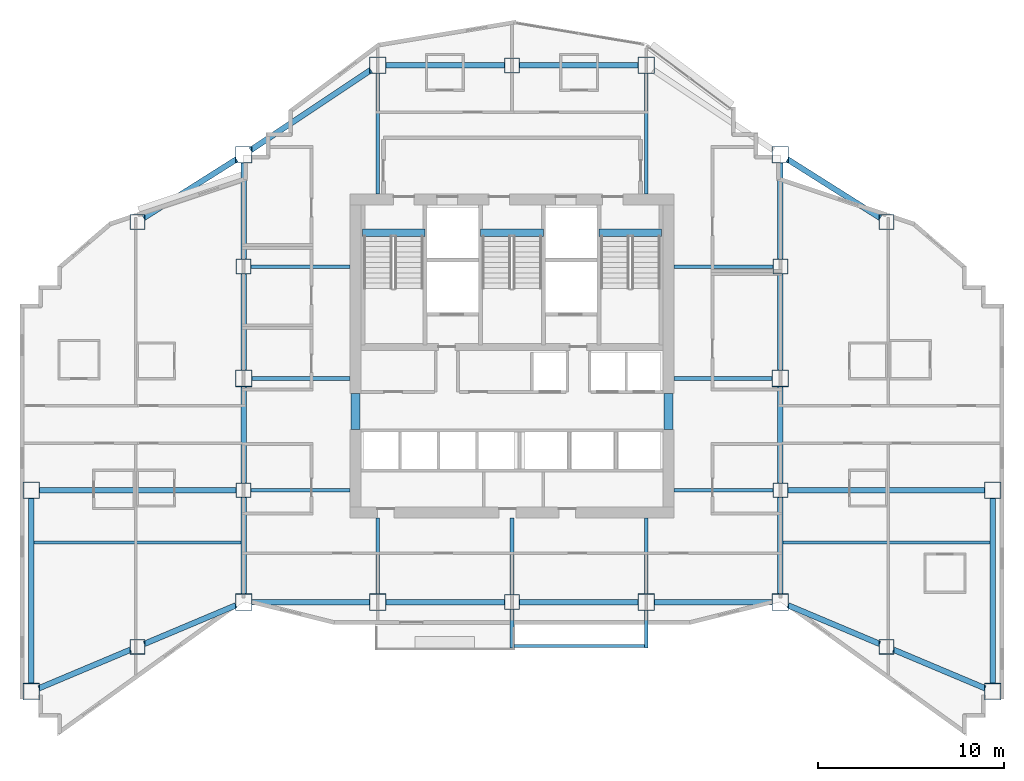
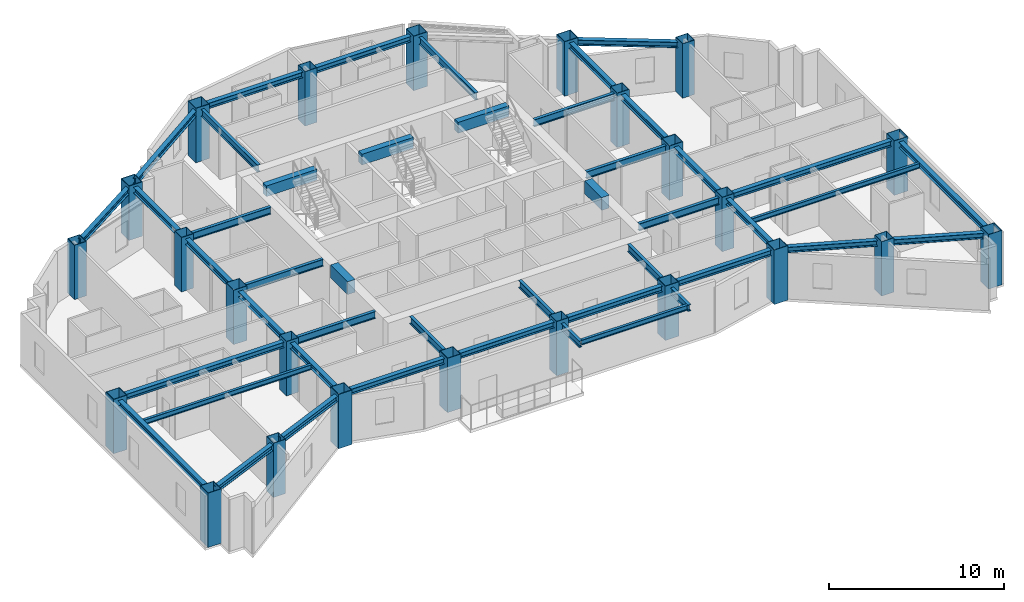
# One storey, part 1 of 11: 46 beams, 24 columns.
"""IFC4 building model written with IfcOpenShell, lengths in metres."""

from ifc_helpers import new_model, si_unit, direction, frame, origin, origin_2d, place, context, subcontext, project, spatial, rectangle, hollow_rectangle, i_section, extrude, material, material_profile, profile_set, type_object, element, save


model = new_model("IFC4")

# Units and contexts
model_context = context("Model", 3, precision=1e-05, world=origin(), true_north=direction((0.0, 1.0)))
body_context = subcontext(model_context, "Body", "Model", "MODEL_VIEW")
ifc_project = project(units=[si_unit("LENGTHUNIT", "METRE"), si_unit("AREAUNIT", "SQUARE_METRE"), si_unit("VOLUMEUNIT", "CUBIC_METRE"), si_unit("PLANEANGLEUNIT", "RADIAN"), si_unit("MASSUNIT", "GRAM", prefix="KILO")], contexts=[model_context])

# Site, building, storey
site_placement = place(None, origin())
site = spatial("IfcSite", under=ifc_project, at=site_placement, CompositionType="ELEMENT")
building_placement = place(site_placement, origin())
building = spatial("IfcBuilding", under=site, at=building_placement, Name="Haolan Belvedere Tower", CompositionType="ELEMENT")
storey_placement = place(building_placement, frame((0.0, 0.0, 172.800048828125)))
storey = spatial("IfcBuildingStorey", under=building, at=storey_placement, Name="L43", CompositionType="ELEMENT", Elevation=172.800048828125)

# Columns
ifc_material_1 = material(Name="Steel Q390GJC", Category="steel")
ifc_material_profile_1 = material_profile(ifc_material_1, hollow_rectangle(XDim=0.800048828125, YDim=0.800048828125, WallThickness=0.030029296875, at=origin_2d()), Name="Steel Q390GJC")
ifc_profile_set_1 = profile_set([ifc_material_profile_1], Name="Steel Q390GJC")
column_type_1 = type_object("IfcColumnType", Name="COL-BOX800x800x30", PredefinedType="COLUMN", material=ifc_profile_set_1)
for number, where, z_axis, x_axis, name in (
    (1, (24.0, 27.60009765625, 0.0), (0.0, 0.0, 1.0), (1.0, 0.0, 0.0), "L43 column TC-T3-W1 (BOX800x800x30)"),
    (2, (24.0, 39.60009765625, 0.0), (0.0, 0.0, 1.0), (1.0, 0.0, 0.0), "L43 column TC-T3-W2 (BOX800x800x30)"),
    (3, (52.800048828125, 27.60009765625, 0.0), (0.0, 0.0, 1.0), (1.0, 0.0, 0.0), "L43 column TC-T3-E1 (BOX800x800x30)"),
    (4, (52.800048828125, 39.60009765625, 0.0), (0.0, 0.0, 1.0), (1.0, 0.0, 0.0), "L43 column TC-T3-E2 (BOX800x800x30)"),
    (5, (38.39990234375, 21.60009765625, 0.0), (0.0, 0.0, 1.0), (1.0, 0.0, 0.0), "L43 column TC-T3-SM (BOX800x800x30)"),
    (6, (38.39990234375, 50.39990234375, 0.0), (0.0, 0.0, 1.0), (1.0, 0.0, 0.0), "L43 column TC-T3-NM (BOX800x800x30)"),
    (7, (18.300048828125, 19.199951171875, 0.0), (0.0, 0.0, 1.0), (1.0, 0.0, 0.0), "L43 column TC-T2-S1 (BOX800x800x30)"),
    (8, (18.300048828125, 42.0, 0.0), (0.0, 0.0, 1.0), (1.0, 0.0, 0.0), "L43 column TC-T2-N1 (BOX800x800x30)"),
    (9, (58.5, 19.199951171875, 0.0), (0.0, 0.0, 1.0), (1.0, 0.0, 0.0), "L43 column TC-T4-S1 (BOX800x800x30)"),
    (10, (58.5, 42.0, 0.0), (0.0, 0.0, 1.0), (1.0, 0.0, 0.0), "L43 column TC-T4-N1 (BOX800x800x30)"),
):
    element("IfcColumn", number, at=place(storey_placement, frame(where, z_axis=z_axis, x_axis=x_axis)), inside=storey, type_object=column_type_1, Name=name, PredefinedType="COLUMN", context=body_context, shape_type="SweptSolid", body=[
        extrude(hollow_rectangle(XDim=0.800048828125, YDim=0.800048828125, WallThickness=0.030029296875, at=origin_2d()), origin(), (0.0, 0.0, 1.0), 3.800048828125),
    ])
ifc_material_profile_2 = material_profile(ifc_material_1, hollow_rectangle(XDim=0.89990234375, YDim=0.89990234375, WallThickness=0.033935546875, at=origin_2d()), Name="Steel Q390GJC")
ifc_profile_set_2 = profile_set([ifc_material_profile_2], Name="Steel Q390GJC")
column_type_2 = type_object("IfcColumnType", Name="COL-BOX900x900x34", PredefinedType="COLUMN", material=ifc_profile_set_2)
for number, where, z_axis, x_axis, name in (
    (11, (24.0, 21.60009765625, 0.0), (0.0, 0.0, 1.0), (1.0, 0.0, 0.0), "L43 column MC-T3-SW (BOX900x900x34)"),
    (12, (24.0, 33.60009765625, 0.0), (0.0, 0.0, 1.0), (1.0, 0.0, 0.0), "L43 column MC-T3-MW (BOX900x900x34)"),
    (13, (24.0, 45.60009765625, 0.0), (0.0, 0.0, 1.0), (1.0, 0.0, 0.0), "L43 column MC-T3-NW (BOX900x900x34)"),
    (14, (52.800048828125, 21.60009765625, 0.0), (0.0, 0.0, 1.0), (1.0, 0.0, 0.0), "L43 column MC-T3-SE (BOX900x900x34)"),
    (15, (52.800048828125, 33.60009765625, 0.0), (0.0, 0.0, 1.0), (1.0, 0.0, 0.0), "L43 column MC-T3-ME (BOX900x900x34)"),
    (16, (52.800048828125, 45.60009765625, 0.0), (0.0, 0.0, 1.0), (1.0, 0.0, 0.0), "L43 column MC-T3-NE (BOX900x900x34)"),
    (17, (31.199951171875, 21.60009765625, 0.0), (0.0, 0.0, 1.0), (1.0, 0.0, 0.0), "L43 column MC-T3-S1 (BOX900x900x34)"),
    (18, (45.60009765625, 21.60009765625, 0.0), (0.0, 0.0, 1.0), (1.0, 0.0, 0.0), "L43 column MC-T3-S2 (BOX900x900x34)"),
    (19, (31.199951171875, 50.39990234375, 0.0), (0.0, 0.0, 1.0), (1.0, 0.0, 0.0), "L43 column MC-T3-N1 (BOX900x900x34)"),
    (20, (45.60009765625, 50.39990234375, 0.0), (0.0, 0.0, 1.0), (1.0, 0.0, 0.0), "L43 column MC-T3-N2 (BOX900x900x34)"),
    (21, (12.60009765625, 16.800048828125, 0.0), (0.0, 0.0, 1.0), (1.0, 0.0, 0.0), "L43 column MC-T2-SW (BOX900x900x34)"),
    (22, (12.60009765625, 27.60009765625, 0.0), (0.0, 0.0, 1.0), (1.0, 0.0, 0.0), "L43 column MC-T2-MW (BOX900x900x34)"),
    (23, (64.199951171875, 16.800048828125, 0.0), (0.0, 0.0, 1.0), (1.0, 0.0, 0.0), "L43 column MC-T4-SE (BOX900x900x34)"),
    (24, (64.199951171875, 27.60009765625, 0.0), (0.0, 0.0, 1.0), (1.0, 0.0, 0.0), "L43 column MC-T4-ME (BOX900x900x34)"),
):
    element("IfcColumn", number, at=place(storey_placement, frame(where, z_axis=z_axis, x_axis=x_axis)), inside=storey, type_object=column_type_2, Name=name, PredefinedType="COLUMN", context=body_context, shape_type="SweptSolid", body=[
        extrude(hollow_rectangle(XDim=0.89990234375, YDim=0.89990234375, WallThickness=0.033935546875, at=origin_2d()), origin(), (0.0, 0.0, 1.0), 3.800048828125),
    ])

# Beams
ifc_material_2 = material(Name="Steel Q355B", Category="steel")
ifc_material_profile_3 = material_profile(ifc_material_2, i_section(OverallWidth=0.300048828125, OverallDepth=0.389892578125, WebThickness=0.010009765625, FlangeThickness=0.01611328125, FilletRadius=0.02197265625, at=origin_2d()), Name="Steel Q355B")
ifc_profile_set_3 = profile_set([ifc_material_profile_3], Name="Steel Q355B")
beam_type_1 = type_object("IfcBeamType", Name="BM-HM390x300x10x16", PredefinedType="SPANDREL", material=ifc_profile_set_3)
for number, where, z_axis, x_axis, name in (
    (25, (24.0, 22.050048828125, 3.425048828125), (0.0, 1.0, 0.0), (-1.0, 0.0, 0.0), "L43 spandrel girder MC-T3-SW-TC-T3-W1"),
    (26, (24.0, 28.0, 3.425048828125), (0.0, 1.0, 0.0), (-1.0, 0.0, 0.0), "L43 spandrel girder TC-T3-W1-MC-T3-MW"),
    (27, (24.0, 34.050048828125, 3.425048828125), (0.0, 1.0, 0.0), (-1.0, 0.0, 0.0), "L43 spandrel girder MC-T3-MW-TC-T3-W2"),
    (28, (24.0, 40.0, 3.425048828125), (0.0, 1.0, 0.0), (-1.0, 0.0, 0.0), "L43 spandrel girder TC-T3-W2-MC-T3-NW"),
    (29, (52.800048828125, 22.050048828125, 3.425048828125), (0.0, 1.0, 0.0), (-1.0, 0.0, 0.0), "L43 spandrel girder MC-T3-SE-TC-T3-E1"),
    (30, (52.800048828125, 28.0, 3.425048828125), (0.0, 1.0, 0.0), (-1.0, 0.0, 0.0), "L43 spandrel girder TC-T3-E1-MC-T3-ME"),
    (31, (52.800048828125, 34.050048828125, 3.425048828125), (0.0, 1.0, 0.0), (-1.0, 0.0, 0.0), "L43 spandrel girder MC-T3-ME-TC-T3-E2"),
    (32, (52.800048828125, 40.0, 3.425048828125), (0.0, 1.0, 0.0), (-1.0, 0.0, 0.0), "L43 spandrel girder TC-T3-E2-MC-T3-NE"),
):
    element("IfcBeam", number, at=place(storey_placement, frame(where, z_axis=z_axis, x_axis=x_axis)), inside=storey, type_object=beam_type_1, Name=name, PredefinedType="SPANDREL", context=body_context, shape_type="SweptSolid", body=[
        extrude(i_section(OverallWidth=0.300048828125, OverallDepth=0.389892578125, WebThickness=0.010009765625, FlangeThickness=0.01611328125, FilletRadius=0.02197265625, at=origin_2d()), origin(), (0.0, 0.0, 1.0), 5.14990234375),
    ])
beam_1_placement = place(storey_placement, frame((24.449951171875, 21.60009765625, 3.425048828125), z_axis=(1.0, 0.0, 0.0), x_axis=(0.0, 1.0, 0.0)))
element("IfcBeam", 33, at=beam_1_placement, inside=storey, type_object=beam_type_1, Name="L43 spandrel girder MC-T3-SW-MC-T3-S1", PredefinedType="SPANDREL", context=body_context, shape_type="SweptSolid", body=[
    extrude(i_section(OverallWidth=0.300048828125, OverallDepth=0.389892578125, WebThickness=0.010009765625, FlangeThickness=0.01611328125, FilletRadius=0.02197265625, at=origin_2d()), origin(), (0.0, 0.0, 1.0), 6.300048828125),
])
beam_2_placement = place(storey_placement, frame((31.64990234375, 21.60009765625, 3.425048828125), z_axis=(1.0, 0.0, 0.0), x_axis=(0.0, 1.0, 0.0)))
element("IfcBeam", 34, at=beam_2_placement, inside=storey, type_object=beam_type_1, Name="L43 spandrel girder MC-T3-S1-TC-T3-SM", PredefinedType="SPANDREL", context=body_context, shape_type="SweptSolid", body=[
    extrude(i_section(OverallWidth=0.300048828125, OverallDepth=0.389892578125, WebThickness=0.010009765625, FlangeThickness=0.01611328125, FilletRadius=0.02197265625, at=origin_2d()), origin(), (0.0, 0.0, 1.0), 6.35009765625),
])
beam_3_placement = place(storey_placement, frame((38.800048828125, 21.60009765625, 3.425048828125), z_axis=(1.0, 0.0, 0.0), x_axis=(0.0, 1.0, 0.0)))
element("IfcBeam", 35, at=beam_3_placement, inside=storey, type_object=beam_type_1, Name="L43 spandrel girder TC-T3-SM-MC-T3-S2", PredefinedType="SPANDREL", context=body_context, shape_type="SweptSolid", body=[
    extrude(i_section(OverallWidth=0.300048828125, OverallDepth=0.389892578125, WebThickness=0.010009765625, FlangeThickness=0.01611328125, FilletRadius=0.02197265625, at=origin_2d()), origin(), (0.0, 0.0, 1.0), 6.349853515625),
])
beam_4_placement = place(storey_placement, frame((46.050048828125, 21.60009765625, 3.425048828125), z_axis=(1.0, 0.0, 0.0), x_axis=(0.0, 1.0, 0.0)))
element("IfcBeam", 36, at=beam_4_placement, inside=storey, type_object=beam_type_1, Name="L43 spandrel girder MC-T3-S2-MC-T3-SE", PredefinedType="SPANDREL", context=body_context, shape_type="SweptSolid", body=[
    extrude(i_section(OverallWidth=0.300048828125, OverallDepth=0.389892578125, WebThickness=0.010009765625, FlangeThickness=0.01611328125, FilletRadius=0.02197265625, at=origin_2d()), origin(), (0.0, 0.0, 1.0), 6.300048828125),
])
beam_5_placement = place(storey_placement, frame((24.37451171875, 45.849609375, 3.425048828125), z_axis=(0.832050294338, 0.554700196225, 0.0), x_axis=(-0.554700196225, 0.832050294338, 0.0)))
element("IfcBeam", 37, at=beam_5_placement, inside=storey, type_object=beam_type_1, Name="L43 spandrel girder MC-T3-NW-MC-T3-N1", PredefinedType="SPANDREL", context=body_context, shape_type="SweptSolid", body=[
    extrude(i_section(OverallWidth=0.300048828125, OverallDepth=0.389892578125, WebThickness=0.010009765625, FlangeThickness=0.01611328125, FilletRadius=0.02197265625, at=origin_2d()), origin(), (0.0, 0.0, 1.0), 7.75341796875),
])
beam_6_placement = place(storey_placement, frame((31.64990234375, 50.39990234375, 3.425048828125), z_axis=(1.0, 0.0, 0.0), x_axis=(0.0, 1.0, 0.0)))
element("IfcBeam", 38, at=beam_6_placement, inside=storey, type_object=beam_type_1, Name="L43 spandrel girder MC-T3-N1-TC-T3-NM", PredefinedType="SPANDREL", context=body_context, shape_type="SweptSolid", body=[
    extrude(i_section(OverallWidth=0.300048828125, OverallDepth=0.389892578125, WebThickness=0.010009765625, FlangeThickness=0.01611328125, FilletRadius=0.02197265625, at=origin_2d()), origin(), (0.0, 0.0, 1.0), 6.35009765625),
])
beam_7_placement = place(storey_placement, frame((38.800048828125, 50.39990234375, 3.425048828125), z_axis=(1.0, 0.0, 0.0), x_axis=(0.0, 1.0, 0.0)))
element("IfcBeam", 39, at=beam_7_placement, inside=storey, type_object=beam_type_1, Name="L43 spandrel girder TC-T3-NM-MC-T3-N2", PredefinedType="SPANDREL", context=body_context, shape_type="SweptSolid", body=[
    extrude(i_section(OverallWidth=0.300048828125, OverallDepth=0.389892578125, WebThickness=0.010009765625, FlangeThickness=0.01611328125, FilletRadius=0.02197265625, at=origin_2d()), origin(), (0.0, 0.0, 1.0), 6.349853515625),
])
beam_8_placement = place(storey_placement, frame((12.60009765625, 17.25, 3.425048828125), z_axis=(0.0, 1.0, 0.0), x_axis=(-1.0, 0.0, 0.0)))
element("IfcBeam", 40, at=beam_8_placement, inside=storey, type_object=beam_type_1, Name="L43 spandrel girder MC-T2-SW-MC-T2-MW", PredefinedType="SPANDREL", context=body_context, shape_type="SweptSolid", body=[
    extrude(i_section(OverallWidth=0.300048828125, OverallDepth=0.389892578125, WebThickness=0.010009765625, FlangeThickness=0.01611328125, FilletRadius=0.02197265625, at=origin_2d()), origin(), (0.0, 0.0, 1.0), 9.89990234375),
])
beam_9_placement = place(storey_placement, frame((13.0146484375, 16.974609375, 3.425048828125), z_axis=(0.921644850741, 0.388034494733, 0.0), x_axis=(-0.388034494733, 0.921644850741, 0.0)))
element("IfcBeam", 41, at=beam_9_placement, inside=storey, type_object=beam_type_1, Name="L43 spandrel girder MC-T2-SW-TC-T2-S1", PredefinedType="SPANDREL", context=body_context, shape_type="SweptSolid", body=[
    extrude(i_section(OverallWidth=0.300048828125, OverallDepth=0.389892578125, WebThickness=0.010009765625, FlangeThickness=0.01611328125, FilletRadius=0.02197265625, at=origin_2d()), origin(), (0.0, 0.0, 1.0), 5.334716796875),
])
beam_10_placement = place(storey_placement, frame((18.668701171875, 19.355224609375, 3.425048828125), z_axis=(0.921637959557, 0.388050862006, 0.0), x_axis=(-0.388050862006, 0.921637959557, 0.0)))
element("IfcBeam", 42, at=beam_10_placement, inside=storey, type_object=beam_type_1, Name="L43 spandrel girder TC-T2-S1-MC-T3-SW", PredefinedType="SPANDREL", context=body_context, shape_type="SweptSolid", body=[
    extrude(i_section(OverallWidth=0.300048828125, OverallDepth=0.389892578125, WebThickness=0.010009765625, FlangeThickness=0.01611328125, FilletRadius=0.02197265625, at=origin_2d()), origin(), (0.0, 0.0, 1.0), 5.33447265625),
])
beam_11_placement = place(storey_placement, frame((18.63818359375, 42.213623046875, 3.425048828125), z_axis=(0.845502688092, 0.533971164417, 0.0), x_axis=(-0.533971164417, 0.845502688092, 0.0)))
element("IfcBeam", 43, at=beam_11_placement, inside=storey, type_object=beam_type_1, Name="L43 spandrel girder TC-T2-N1-MC-T3-NW", PredefinedType="SPANDREL", context=body_context, shape_type="SweptSolid", body=[
    extrude(i_section(OverallWidth=0.300048828125, OverallDepth=0.389892578125, WebThickness=0.010009765625, FlangeThickness=0.01611328125, FilletRadius=0.02197265625, at=origin_2d()), origin(), (0.0, 0.0, 1.0), 5.8916015625),
])
beam_12_placement = place(storey_placement, frame((13.050048828125, 27.60009765625, 3.425048828125), z_axis=(1.0, 0.0, 0.0), x_axis=(0.0, 1.0, 0.0)))
element("IfcBeam", 44, at=beam_12_placement, inside=storey, type_object=beam_type_1, Name="L43 spandrel girder MC-T2-MW-TC-T3-W1", PredefinedType="SPANDREL", context=body_context, shape_type="SweptSolid", body=[
    extrude(i_section(OverallWidth=0.300048828125, OverallDepth=0.389892578125, WebThickness=0.010009765625, FlangeThickness=0.01611328125, FilletRadius=0.02197265625, at=origin_2d()), origin(), (0.0, 0.0, 1.0), 10.550048828125),
])
beam_13_placement = place(storey_placement, frame((64.199951171875, 17.25, 3.425048828125), z_axis=(0.0, 1.0, 0.0), x_axis=(-1.0, 0.0, 0.0)))
element("IfcBeam", 45, at=beam_13_placement, inside=storey, type_object=beam_type_1, Name="L43 spandrel girder MC-T4-SE-MC-T4-ME", PredefinedType="SPANDREL", context=body_context, shape_type="SweptSolid", body=[
    extrude(i_section(OverallWidth=0.300048828125, OverallDepth=0.389892578125, WebThickness=0.010009765625, FlangeThickness=0.01611328125, FilletRadius=0.02197265625, at=origin_2d()), origin(), (0.0, 0.0, 1.0), 9.89990234375),
])
for number, where, z_axis, x_axis, name in (
    (46, (53.21484375, 21.42529296875, 3.425048828125), (0.921637959557, -0.388050862006, 0.0), (0.388050862006, 0.921637959557, 0.0), "L43 spandrel girder MC-T3-SE-TC-T4-S1"),
    (47, (58.86865234375, 19.044677734375, 3.425048828125), (0.921637959557, -0.388050862006, 0.0), (0.388050862006, 0.921637959557, 0.0), "L43 spandrel girder TC-T4-S1-MC-T4-SE"),
):
    element("IfcBeam", number, at=place(storey_placement, frame(where, z_axis=z_axis, x_axis=x_axis)), inside=storey, type_object=beam_type_1, Name=name, PredefinedType="SPANDREL", context=body_context, shape_type="SweptSolid", body=[
        extrude(i_section(OverallWidth=0.300048828125, OverallDepth=0.389892578125, WebThickness=0.010009765625, FlangeThickness=0.01611328125, FilletRadius=0.02197265625, at=origin_2d()), origin(), (0.0, 0.0, 1.0), 5.33447265625),
    ])
beam_14_placement = place(storey_placement, frame((53.180419921875, 45.359619140625, 3.425048828125), z_axis=(0.845502688092, -0.533971164417, 0.0), x_axis=(0.533971164417, 0.845502688092, 0.0)))
element("IfcBeam", 48, at=beam_14_placement, inside=storey, type_object=beam_type_1, Name="L43 spandrel girder MC-T3-NE-TC-T4-N1", PredefinedType="SPANDREL", context=body_context, shape_type="SweptSolid", body=[
    extrude(i_section(OverallWidth=0.300048828125, OverallDepth=0.389892578125, WebThickness=0.010009765625, FlangeThickness=0.01611328125, FilletRadius=0.02197265625, at=origin_2d()), origin(), (0.0, 0.0, 1.0), 5.8916015625),
])
beam_15_placement = place(storey_placement, frame((53.199951171875, 27.60009765625, 3.425048828125), z_axis=(1.0, 0.0, 0.0), x_axis=(0.0, 1.0, 0.0)))
element("IfcBeam", 49, at=beam_15_placement, inside=storey, type_object=beam_type_1, Name="L43 spandrel girder TC-T3-E1-MC-T4-ME", PredefinedType="SPANDREL", context=body_context, shape_type="SweptSolid", body=[
    extrude(i_section(OverallWidth=0.300048828125, OverallDepth=0.389892578125, WebThickness=0.010009765625, FlangeThickness=0.01611328125, FilletRadius=0.02197265625, at=origin_2d()), origin(), (0.0, 0.0, 1.0), 10.550048828125),
])
ifc_material_profile_4 = material_profile(ifc_material_2, i_section(OverallWidth=0.175048828125, OverallDepth=0.35009765625, WebThickness=0.007080078125, FlangeThickness=0.010986328125, FilletRadius=0.012939453125, at=origin_2d()), Name="Steel Q355B")
ifc_profile_set_4 = profile_set([ifc_material_profile_4], Name="Steel Q355B")
beam_type_2 = type_object("IfcBeamType", Name="BM-HN350x175x7x11", PredefinedType="JOIST", material=ifc_profile_set_4)
for number, where, z_axis, x_axis, name in (
    (50, (12.75, 24.800048828125, 3.445068359375), (1.0, 0.0, 0.0), (0.0, 1.0, 0.0), "L43 west wing floor joist 1"),
    (51, (52.949951171875, 24.800048828125, 3.445068359375), (1.0, 0.0, 0.0), (0.0, 1.0, 0.0), "L43 east wing floor joist 1"),
):
    element("IfcBeam", number, at=place(storey_placement, frame(where, z_axis=z_axis, x_axis=x_axis)), inside=storey, type_object=beam_type_2, Name=name, PredefinedType="JOIST", context=body_context, shape_type="SweptSolid", body=[
        extrude(i_section(OverallWidth=0.175048828125, OverallDepth=0.35009765625, WebThickness=0.007080078125, FlangeThickness=0.010986328125, FilletRadius=0.012939453125, at=origin_2d()), origin(), (0.0, 0.0, 1.0), 11.10009765625),
    ])
beam_16_placement = place(storey_placement, frame((38.5, 19.239990234375, 3.39501953125), z_axis=(1.0, 0.0, 0.0), x_axis=(0.0, 1.0, 0.0)))
element("IfcBeam", 52, at=beam_16_placement, inside=storey, type_object=beam_type_2, Name="L44 tree-balcony front trimmer beam 1", PredefinedType="BEAM", context=body_context, shape_type="SweptSolid", body=[
    extrude(i_section(OverallWidth=0.175048828125, OverallDepth=0.35009765625, WebThickness=0.007080078125, FlangeThickness=0.010986328125, FilletRadius=0.012939453125, at=origin_2d()), origin(), (0.0, 0.0, 1.0), 7.0),
])
ifc_material_profile_5 = material_profile(ifc_material_2, i_section(OverallWidth=0.199951171875, OverallDepth=0.449951171875, WebThickness=0.009033203125, FlangeThickness=0.013916015625, FilletRadius=0.01611328125, at=origin_2d()), Name="Steel Q355B")
ifc_profile_set_5 = profile_set([ifc_material_profile_5], Name="Steel Q355B")
beam_type_3 = type_object("IfcBeamType", Name="BM-HN450x200x9x14", PredefinedType="BEAM", material=ifc_profile_set_5)
beam_17_placement = place(storey_placement, frame((38.39990234375, 21.199951171875, 3.344970703125), z_axis=(0.0, -1.0, 0.0), x_axis=(1.0, 0.0, 0.0)))
element("IfcBeam", 53, at=beam_17_placement, inside=storey, type_object=beam_type_3, Name="L44 tree-balcony column cantilever TC-T3-SM", PredefinedType="BEAM", context=body_context, shape_type="SweptSolid", body=[
    extrude(i_section(OverallWidth=0.199951171875, OverallDepth=0.449951171875, WebThickness=0.009033203125, FlangeThickness=0.013916015625, FilletRadius=0.01611328125, at=origin_2d()), origin(), (0.0, 0.0, 1.0), 2.06005859375),
])
beam_18_placement = place(storey_placement, frame((45.60009765625, 21.14990234375, 3.344970703125), z_axis=(0.0, -1.0, 0.0), x_axis=(1.0, 0.0, 0.0)))
element("IfcBeam", 54, at=beam_18_placement, inside=storey, type_object=beam_type_3, Name="L44 tree-balcony column cantilever MC-T3-S2", PredefinedType="BEAM", context=body_context, shape_type="SweptSolid", body=[
    extrude(i_section(OverallWidth=0.199951171875, OverallDepth=0.449951171875, WebThickness=0.009033203125, FlangeThickness=0.013916015625, FilletRadius=0.01611328125, at=origin_2d()), origin(), (0.0, 0.0, 1.0), 2.010009765625),
])
ifc_material_profile_6 = material_profile(ifc_material_2, i_section(OverallWidth=0.199951171875, OverallDepth=0.5, WebThickness=0.010009765625, FlangeThickness=0.01611328125, FilletRadius=0.02001953125, at=origin_2d()), Name="Steel Q355B")
ifc_profile_set_6 = profile_set([ifc_material_profile_6], Name="Steel Q355B")
beam_type_4 = type_object("IfcBeamType", Name="BM-HN500x200x10x16", PredefinedType="BEAM", material=ifc_profile_set_6)
beam_19_placement = place(storey_placement, frame((24.449951171875, 33.60009765625, 3.369873046875), z_axis=(1.0, 0.0, 0.0), x_axis=(0.0, 1.0, 0.0)))
element("IfcBeam", 55, at=beam_19_placement, inside=storey, type_object=beam_type_4, Name="L43 core tie beam from MC-T3-MW", PredefinedType="BEAM", context=body_context, shape_type="SweptSolid", body=[
    extrude(i_section(OverallWidth=0.199951171875, OverallDepth=0.5, WebThickness=0.010009765625, FlangeThickness=0.01611328125, FilletRadius=0.02001953125, at=origin_2d()), origin(), (0.0, 0.0, 1.0), 5.25),
])
for number, where, z_axis, x_axis, name in (
    (56, (24.39990234375, 27.60009765625, 3.369873046875), (1.0, 0.0, 0.0), (0.0, 1.0, 0.0), "L43 core tie beam from TC-T3-W1"),
    (57, (24.39990234375, 39.60009765625, 3.369873046875), (1.0, 0.0, 0.0), (0.0, 1.0, 0.0), "L43 core tie beam from TC-T3-W2"),
):
    element("IfcBeam", number, at=place(storey_placement, frame(where, z_axis=z_axis, x_axis=x_axis)), inside=storey, type_object=beam_type_4, Name=name, PredefinedType="BEAM", context=body_context, shape_type="SweptSolid", body=[
        extrude(i_section(OverallWidth=0.199951171875, OverallDepth=0.5, WebThickness=0.010009765625, FlangeThickness=0.01611328125, FilletRadius=0.02001953125, at=origin_2d()), origin(), (0.0, 0.0, 1.0), 5.300048828125),
    ])
beam_20_placement = place(storey_placement, frame((52.35009765625, 33.60009765625, 3.369873046875), z_axis=(-1.0, 0.0, 0.0), x_axis=(0.0, -1.0, 0.0)))
element("IfcBeam", 58, at=beam_20_placement, inside=storey, type_object=beam_type_4, Name="L43 core tie beam from MC-T3-ME", PredefinedType="BEAM", context=body_context, shape_type="SweptSolid", body=[
    extrude(i_section(OverallWidth=0.199951171875, OverallDepth=0.5, WebThickness=0.010009765625, FlangeThickness=0.01611328125, FilletRadius=0.02001953125, at=origin_2d()), origin(), (0.0, 0.0, 1.0), 5.25),
])
for number, where, z_axis, x_axis, name in (
    (59, (52.39990234375, 27.60009765625, 3.369873046875), (-1.0, 0.0, 0.0), (0.0, -1.0, 0.0), "L43 core tie beam from TC-T3-E1"),
    (60, (52.39990234375, 39.60009765625, 3.369873046875), (-1.0, 0.0, 0.0), (0.0, -1.0, 0.0), "L43 core tie beam from TC-T3-E2"),
):
    element("IfcBeam", number, at=place(storey_placement, frame(where, z_axis=z_axis, x_axis=x_axis)), inside=storey, type_object=beam_type_4, Name=name, PredefinedType="BEAM", context=body_context, shape_type="SweptSolid", body=[
        extrude(i_section(OverallWidth=0.199951171875, OverallDepth=0.5, WebThickness=0.010009765625, FlangeThickness=0.01611328125, FilletRadius=0.02001953125, at=origin_2d()), origin(), (0.0, 0.0, 1.0), 5.2998046875),
    ])
beam_21_placement = place(storey_placement, frame((31.199951171875, 22.050048828125, 3.369873046875), z_axis=(0.0, 1.0, 0.0), x_axis=(-1.0, 0.0, 0.0)))
element("IfcBeam", 61, at=beam_21_placement, inside=storey, type_object=beam_type_4, Name="L43 core tie beam from MC-T3-S1", PredefinedType="BEAM", context=body_context, shape_type="SweptSolid", body=[
    extrude(i_section(OverallWidth=0.199951171875, OverallDepth=0.5, WebThickness=0.010009765625, FlangeThickness=0.01611328125, FilletRadius=0.02001953125, at=origin_2d()), origin(), (0.0, 0.0, 1.0), 4.050048828125),
])
beam_22_placement = place(storey_placement, frame((38.39990234375, 22.0, 3.369873046875), z_axis=(0.0, 1.0, 0.0), x_axis=(-1.0, 0.0, 0.0)))
element("IfcBeam", 62, at=beam_22_placement, inside=storey, type_object=beam_type_4, Name="L43 core tie beam from TC-T3-SM", PredefinedType="BEAM", context=body_context, shape_type="SweptSolid", body=[
    extrude(i_section(OverallWidth=0.199951171875, OverallDepth=0.5, WebThickness=0.010009765625, FlangeThickness=0.01611328125, FilletRadius=0.02001953125, at=origin_2d()), origin(), (0.0, 0.0, 1.0), 4.10009765625),
])
beam_23_placement = place(storey_placement, frame((45.60009765625, 22.050048828125, 3.369873046875), z_axis=(0.0, 1.0, 0.0), x_axis=(-1.0, 0.0, 0.0)))
element("IfcBeam", 63, at=beam_23_placement, inside=storey, type_object=beam_type_4, Name="L43 core tie beam from MC-T3-S2", PredefinedType="BEAM", context=body_context, shape_type="SweptSolid", body=[
    extrude(i_section(OverallWidth=0.199951171875, OverallDepth=0.5, WebThickness=0.010009765625, FlangeThickness=0.01611328125, FilletRadius=0.02001953125, at=origin_2d()), origin(), (0.0, 0.0, 1.0), 4.050048828125),
])
for number, where, z_axis, x_axis, name in (
    (64, (31.199951171875, 49.949951171875, 3.369873046875), (0.0, -1.0, 0.0), (1.0, 0.0, 0.0), "L43 core tie beam from MC-T3-N1"),
    (65, (45.60009765625, 49.949951171875, 3.369873046875), (0.0, -1.0, 0.0), (1.0, 0.0, 0.0), "L43 core tie beam from MC-T3-N2"),
):
    element("IfcBeam", number, at=place(storey_placement, frame(where, z_axis=z_axis, x_axis=x_axis)), inside=storey, type_object=beam_type_4, Name=name, PredefinedType="BEAM", context=body_context, shape_type="SweptSolid", body=[
        extrude(i_section(OverallWidth=0.199951171875, OverallDepth=0.5, WebThickness=0.010009765625, FlangeThickness=0.01611328125, FilletRadius=0.02001953125, at=origin_2d()), origin(), (0.0, 0.0, 1.0), 6.449951171875),
    ])
ifc_material_3 = material(Name="Concrete C50/60", Category="concrete")
ifc_material_profile_7 = material_profile(ifc_material_3, rectangle(XDim=0.39990234375, YDim=0.75, at=origin_2d()), Name="Concrete C50/60")
ifc_profile_set_7 = profile_set([ifc_material_profile_7], Name="Concrete C50/60")
beam_type_5 = type_object("IfcBeamType", Name="BM-RC400x750", PredefinedType="T_BEAM", material=ifc_profile_set_7)
beam_24_placement = place(storey_placement, frame((30.3798828125, 41.429931640625, 3.425048828125), z_axis=(1.0, 0.0, 0.0), x_axis=(0.0, 1.0, 0.0)))
element("IfcBeam", 66, at=beam_24_placement, inside=storey, type_object=beam_type_5, Name="L44 stair ST1 RC header trimmer beam", PredefinedType="BEAM", context=body_context, shape_type="SweptSolid", body=[
    extrude(rectangle(XDim=0.39990234375, YDim=0.75, at=origin_2d()), origin(), (0.0, 0.0, 1.0), 3.360107421875),
])
beam_25_placement = place(storey_placement, frame((36.699951171875, 41.429931640625, 3.425048828125), z_axis=(1.0, 0.0, 0.0), x_axis=(0.0, 1.0, 0.0)))
element("IfcBeam", 67, at=beam_25_placement, inside=storey, type_object=beam_type_5, Name="L44 stair ST3 RC header trimmer beam", PredefinedType="BEAM", context=body_context, shape_type="SweptSolid", body=[
    extrude(rectangle(XDim=0.39990234375, YDim=0.75, at=origin_2d()), origin(), (0.0, 0.0, 1.0), 3.400146484375),
])
beam_26_placement = place(storey_placement, frame((43.06005859375, 41.429931640625, 3.425048828125), z_axis=(1.0, 0.0, 0.0), x_axis=(0.0, 1.0, 0.0)))
element("IfcBeam", 68, at=beam_26_placement, inside=storey, type_object=beam_type_5, Name="L44 stair ST2 RC header trimmer beam", PredefinedType="BEAM", context=body_context, shape_type="SweptSolid", body=[
    extrude(rectangle(XDim=0.39990234375, YDim=0.75, at=origin_2d()), origin(), (0.0, 0.0, 1.0), 3.35986328125),
])
ifc_material_4 = material(Name="Concrete C60/75", Category="concrete")
ifc_material_profile_8 = material_profile(ifc_material_4, rectangle(XDim=0.5, YDim=0.89990234375, at=origin_2d()), Name="Concrete C60/75")
ifc_profile_set_8 = profile_set([ifc_material_profile_8], Name="Concrete C60/75")
beam_type_6 = type_object("IfcBeamType", Name="BM-RC500x900", PredefinedType="LINTEL", material=ifc_profile_set_8)
for number, where, z_axis, x_axis, name in (
    (69, (30.0, 30.85009765625, 3.169921875), (0.0, 1.0, 0.0), (-1.0, 0.0, 0.0), "L43 west core coupling beam CB-01"),
    (70, (46.800048828125, 30.85009765625, 3.169921875), (0.0, 1.0, 0.0), (-1.0, 0.0, 0.0), "L43 east core coupling beam CB-01"),
):
    element("IfcBeam", number, at=place(storey_placement, frame(where, z_axis=z_axis, x_axis=x_axis)), inside=storey, type_object=beam_type_6, Name=name, PredefinedType="LINTEL", context=body_context, shape_type="SweptSolid", body=[
        extrude(rectangle(XDim=0.5, YDim=0.89990234375, at=origin_2d()), origin(), (0.0, 0.0, 1.0), 1.949951171875),
    ])

save(model, "model.ifc")
